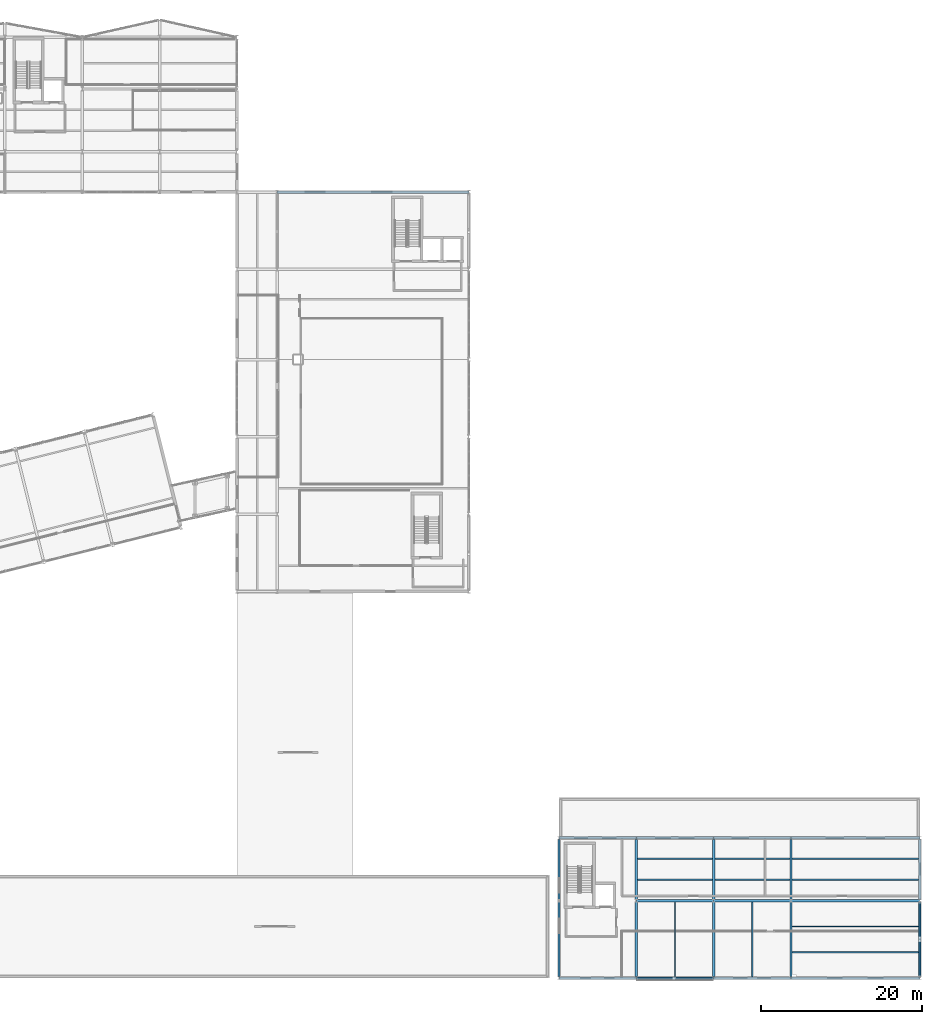
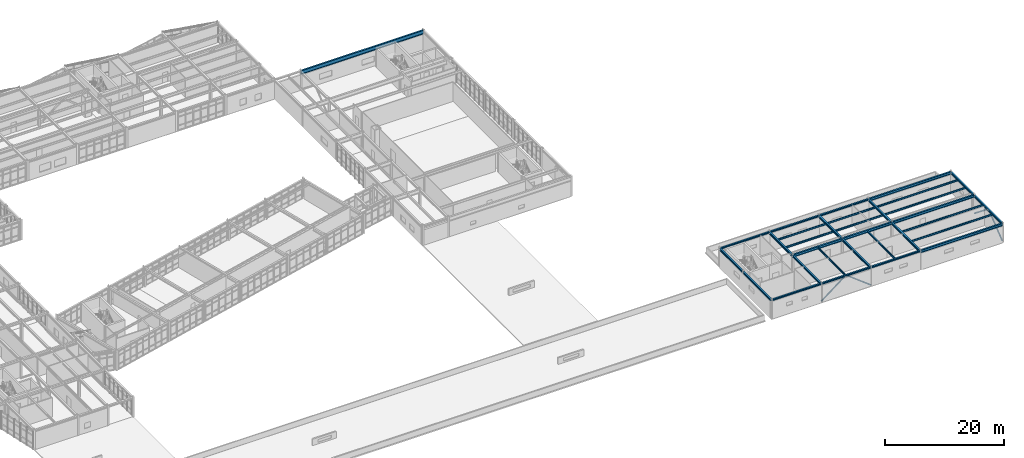
# One storey, part 46 of 88: 32 beams, 4 members.
"""IFC4 building model written with IfcOpenShell, lengths in metres."""

from ifc_helpers import new_model, si_unit, direction, frame, origin, origin_2d, place, context, subcontext, project, spatial, hollow_circle, i_section, extrude, material, material_profile, profile_set, type_object, element, save


model = new_model("IFC4")

# Units and contexts
model_context = context("Model", 3, precision=1e-05, world=origin(), true_north=direction((0.0, 1.0)))
body_context = subcontext(model_context, "Body", "Model", "MODEL_VIEW")
ifc_project = project(units=[si_unit("LENGTHUNIT", "METRE"), si_unit("AREAUNIT", "SQUARE_METRE"), si_unit("VOLUMEUNIT", "CUBIC_METRE"), si_unit("PLANEANGLEUNIT", "RADIAN"), si_unit("MASSUNIT", "GRAM", prefix="KILO")], contexts=[model_context])

# Site, building, storey
site_placement = place(None, origin())
site = spatial("IfcSite", under=ifc_project, at=site_placement, CompositionType="ELEMENT")
building_placement = place(site_placement, origin())
building = spatial("IfcBuilding", under=site, at=building_placement, Name="Nordkorset Police Headquarters", CompositionType="ELEMENT")
storey_placement = place(building_placement, frame((0.0, 0.0, 9.449951171875)))
storey = spatial("IfcBuildingStorey", under=building, at=storey_placement, Name="L02", CompositionType="ELEMENT", Elevation=9.449951171875)

# Beams
ifc_material_1 = material(Name="Steel S355J2", Category="steel")
ifc_material_profile_1 = material_profile(ifc_material_1, i_section(OverallWidth=0.169921875, OverallDepth=0.360107421875, WebThickness=0.008056640625, FlangeThickness=0.0126953125, FilletRadius=0.01806640625, at=origin_2d()), Name="IPE 360")
ifc_profile_set_1 = profile_set([ifc_material_profile_1], Name="Steel S355J2")
beam_type_1 = type_object("IfcBeamType", Name="Beam_IPE_360", PredefinedType="BEAM", material=ifc_profile_set_1)
for number, where, z_axis, x_axis, name in (
    (1, (140.800048828125, 0.14990234375, 3.78515625), (0.0, 1.0, 0.0), (-1.0, 0.0, 0.0), "Composite Floor Beam V6 L02 1-0-1"),
    (2, (136.14990234375, 12.199951171875, 3.7900390625), (1.0, 0.0, 0.0), (0.0, 1.0, 0.0), "Composite Floor Beam V6 L02 1-1-1"),
    (3, (136.14990234375, 14.800048828125, 3.7900390625), (1.0, 0.0, 0.0), (0.0, 1.0, 0.0), "Composite Floor Beam V6 L02 1-1-2"),
    (4, (150.39990234375, 0.14990234375, 3.78515625), (0.0, 1.0, 0.0), (-1.0, 0.0, 0.0), "Composite Floor Beam V6 L02 2-0-1"),
    (5, (145.75, 12.199951171875, 3.804931640625), (1.0, 0.0, 0.0), (0.0, 1.0, 0.0), "Composite Floor Beam V6 L02 2-1-1"),
    (6, (145.75, 14.800048828125, 3.804931640625), (1.0, 0.0, 0.0), (0.0, 1.0, 0.0), "Composite Floor Beam V6 L02 2-1-2"),
):
    element("IfcBeam", number, at=place(storey_placement, frame(where, z_axis=z_axis, x_axis=x_axis)), inside=storey, type_object=beam_type_1, Name=name, PredefinedType="BEAM", context=body_context, shape_type="SweptSolid", body=[
        extrude(i_section(OverallWidth=0.169921875, OverallDepth=0.360107421875, WebThickness=0.008056640625, FlangeThickness=0.0126953125, FilletRadius=0.01806640625, at=origin_2d()), origin(), (0.0, 0.0, 1.0), 9.300048828125),
    ])
for number, where, z_axis, x_axis, name in (
    (7, (155.35009765625, 3.199951171875, 3.78515625), (1.0, 0.0, 0.0), (0.0, 1.0, 0.0), "Composite Floor Beam V6 L02 3-0-1"),
    (8, (155.35009765625, 6.39990234375, 3.78515625), (1.0, 0.0, 0.0), (0.0, 1.0, 0.0), "Composite Floor Beam V6 L02 3-0-2"),
    (9, (155.35009765625, 12.199951171875, 3.804931640625), (1.0, 0.0, 0.0), (0.0, 1.0, 0.0), "Composite Floor Beam V6 L02 3-1-1"),
    (10, (155.35009765625, 14.800048828125, 3.804931640625), (1.0, 0.0, 0.0), (0.0, 1.0, 0.0), "Composite Floor Beam V6 L02 3-1-2"),
):
    element("IfcBeam", number, at=place(storey_placement, frame(where, z_axis=z_axis, x_axis=x_axis)), inside=storey, type_object=beam_type_1, Name=name, PredefinedType="BEAM", context=body_context, shape_type="SweptSolid", body=[
        extrude(i_section(OverallWidth=0.169921875, OverallDepth=0.360107421875, WebThickness=0.008056640625, FlangeThickness=0.0126953125, FilletRadius=0.01806640625, at=origin_2d()), origin(), (0.0, 0.0, 1.0), 15.699951171875),
    ])

# Members
ifc_material_2 = material(Name="Steel S355J2", Category="steel")
ifc_material_profile_2 = material_profile(ifc_material_2, hollow_circle(Radius=0.136474609375, WallThickness=0.012451171875, at=origin_2d()), Name="CHS 273x12.5")
ifc_profile_set_2 = profile_set([ifc_material_profile_2], Name="Steel S355J2")
member_type = type_object("IfcMemberType", Name="Brace_CHS_273x12.5", PredefinedType="BRACE", material=ifc_profile_set_2)
for number, where, z_axis, x_axis, name in (
    (11, (136.006103515625, 0.0, 0.199951171875), (0.792556948355, 0.0, 0.609797903912), (0.0, 1.0, 0.0), "Lateral Chevron Brace BF-EXT-V6S L02 D1"),
    (12, (145.593994140625, 0.0, 0.199951171875), (-0.792556948355, 0.0, 0.609797903912), (0.0, -1.0, 0.0), "Lateral Chevron Brace BF-EXT-V6S L02 D2"),
):
    element("IfcMember", number, at=place(storey_placement, frame(where, z_axis=z_axis, x_axis=x_axis)), inside=storey, type_object=member_type, Name=name, PredefinedType="BRACE", context=body_context, shape_type="SweptSolid", body=[
        extrude(hollow_circle(Radius=0.136474609375, WallThickness=0.012451171875, at=origin_2d()), origin(), (0.0, 0.0, 1.0), 5.82177734375),
    ])
for number, where, z_axis, x_axis, name in (
    (13, (171.199951171875, 0.169921875, 0.199951171875), (0.0, 0.78173415598, 0.623611825878), (-1.0, 0.0, 0.0), "Lateral Chevron Brace BF-EXT-V6E L02 D1"),
    (14, (171.199951171875, 9.429931640625, 0.199951171875), (0.0, -0.781717476957, 0.623632733441), (1.0, 0.0, 0.0), "Lateral Chevron Brace BF-EXT-V6E L02 D2"),
):
    element("IfcMember", number, at=place(storey_placement, frame(where, z_axis=z_axis, x_axis=x_axis)), inside=storey, type_object=member_type, Name=name, PredefinedType="BRACE", context=body_context, shape_type="SweptSolid", body=[
        extrude(hollow_circle(Radius=0.136474609375, WallThickness=0.012451171875, at=origin_2d()), origin(), (0.0, 0.0, 1.0), 5.692626953125),
    ])

# Beams
ifc_material_3 = material(Name="Steel S355J2", Category="steel")
ifc_material_profile_3 = material_profile(ifc_material_3, i_section(OverallWidth=0.300048828125, OverallDepth=0.43994140625, WebThickness=0.011474609375, FlangeThickness=0.02099609375, FilletRadius=0.027099609375, at=origin_2d()), Name="HEA 450")
ifc_profile_set_3 = profile_set([ifc_material_profile_3], Name="Steel S355J2")
beam_type_2 = type_object("IfcBeamType", Name="Girder_HEA_450", PredefinedType="USERDEFINED", material=ifc_profile_set_3)
beam_1_placement = place(storey_placement, frame((126.39990234375, 0.169921875, 3.75), z_axis=(0.0, 1.0, 0.0), x_axis=(-1.0, 0.0, 0.0)))
element("IfcBeam", 15, at=beam_1_placement, inside=storey, type_object=beam_type_2, Name="Girder V6 L02 GY-0-0", ObjectType="GIRDER", PredefinedType="USERDEFINED", context=body_context, shape_type="SweptSolid", body=[
    extrude(i_section(OverallWidth=0.300048828125, OverallDepth=0.43994140625, WebThickness=0.011474609375, FlangeThickness=0.02099609375, FilletRadius=0.027099609375, at=origin_2d()), origin(), (0.0, 0.0, 1.0), 9.260009765625),
])
beam_2_placement = place(storey_placement, frame((126.39990234375, 9.77001953125, 3.75), z_axis=(0.0, 1.0, 0.0), x_axis=(-1.0, 0.0, 0.0)))
element("IfcBeam", 16, at=beam_2_placement, inside=storey, type_object=beam_type_2, Name="Girder V6 L02 GY-0-1", ObjectType="GIRDER", PredefinedType="USERDEFINED", context=body_context, shape_type="SweptSolid", body=[
    extrude(i_section(OverallWidth=0.300048828125, OverallDepth=0.43994140625, WebThickness=0.011474609375, FlangeThickness=0.02099609375, FilletRadius=0.027099609375, at=origin_2d()), origin(), (0.0, 0.0, 1.0), 7.4599609375),
])
beam_3_placement = place(storey_placement, frame((136.0, 0.169921875, 3.75), z_axis=(0.0, 1.0, 0.0), x_axis=(-1.0, 0.0, 0.0)))
element("IfcBeam", 17, at=beam_3_placement, inside=storey, type_object=beam_type_2, Name="Girder V6 L02 GY-1-0", ObjectType="GIRDER", PredefinedType="USERDEFINED", context=body_context, shape_type="SweptSolid", body=[
    extrude(i_section(OverallWidth=0.300048828125, OverallDepth=0.43994140625, WebThickness=0.011474609375, FlangeThickness=0.02099609375, FilletRadius=0.027099609375, at=origin_2d()), origin(), (0.0, 0.0, 1.0), 9.260009765625),
])
beam_4_placement = place(storey_placement, frame((136.0, 9.77001953125, 3.75), z_axis=(0.0, 1.0, 0.0), x_axis=(-1.0, 0.0, 0.0)))
element("IfcBeam", 18, at=beam_4_placement, inside=storey, type_object=beam_type_2, Name="Girder V6 L02 GY-1-1", ObjectType="GIRDER", PredefinedType="USERDEFINED", context=body_context, shape_type="SweptSolid", body=[
    extrude(i_section(OverallWidth=0.300048828125, OverallDepth=0.43994140625, WebThickness=0.011474609375, FlangeThickness=0.02099609375, FilletRadius=0.027099609375, at=origin_2d()), origin(), (0.0, 0.0, 1.0), 7.4599609375),
])
beam_5_placement = place(storey_placement, frame((145.60009765625, 0.169921875, 3.7451171875), z_axis=(0.0, 1.0, 0.0), x_axis=(-1.0, 0.0, 0.0)))
element("IfcBeam", 19, at=beam_5_placement, inside=storey, type_object=beam_type_2, Name="Girder V6 L02 GY-2-0", ObjectType="GIRDER", PredefinedType="USERDEFINED", context=body_context, shape_type="SweptSolid", body=[
    extrude(i_section(OverallWidth=0.300048828125, OverallDepth=0.43994140625, WebThickness=0.011474609375, FlangeThickness=0.02099609375, FilletRadius=0.027099609375, at=origin_2d()), origin(), (0.0, 0.0, 1.0), 9.260009765625),
])
beam_6_placement = place(storey_placement, frame((145.60009765625, 9.77001953125, 3.76513671875), z_axis=(0.0, 1.0, 0.0), x_axis=(-1.0, 0.0, 0.0)))
element("IfcBeam", 20, at=beam_6_placement, inside=storey, type_object=beam_type_2, Name="Girder V6 L02 GY-2-1", ObjectType="GIRDER", PredefinedType="USERDEFINED", context=body_context, shape_type="SweptSolid", body=[
    extrude(i_section(OverallWidth=0.300048828125, OverallDepth=0.43994140625, WebThickness=0.011474609375, FlangeThickness=0.02099609375, FilletRadius=0.027099609375, at=origin_2d()), origin(), (0.0, 0.0, 1.0), 7.4599609375),
])
beam_7_placement = place(storey_placement, frame((155.199951171875, 0.169921875, 3.7451171875), z_axis=(0.0, 1.0, 0.0), x_axis=(-1.0, 0.0, 0.0)))
element("IfcBeam", 21, at=beam_7_placement, inside=storey, type_object=beam_type_2, Name="Girder V6 L02 GY-3-0", ObjectType="GIRDER", PredefinedType="USERDEFINED", context=body_context, shape_type="SweptSolid", body=[
    extrude(i_section(OverallWidth=0.300048828125, OverallDepth=0.43994140625, WebThickness=0.011474609375, FlangeThickness=0.02099609375, FilletRadius=0.027099609375, at=origin_2d()), origin(), (0.0, 0.0, 1.0), 9.260009765625),
])
beam_8_placement = place(storey_placement, frame((155.199951171875, 9.77001953125, 3.76513671875), z_axis=(0.0, 1.0, 0.0), x_axis=(-1.0, 0.0, 0.0)))
element("IfcBeam", 22, at=beam_8_placement, inside=storey, type_object=beam_type_2, Name="Girder V6 L02 GY-3-1", ObjectType="GIRDER", PredefinedType="USERDEFINED", context=body_context, shape_type="SweptSolid", body=[
    extrude(i_section(OverallWidth=0.300048828125, OverallDepth=0.43994140625, WebThickness=0.011474609375, FlangeThickness=0.02099609375, FilletRadius=0.027099609375, at=origin_2d()), origin(), (0.0, 0.0, 1.0), 7.4599609375),
])
beam_9_placement = place(storey_placement, frame((171.199951171875, 0.169921875, 3.7451171875), z_axis=(0.0, 1.0, 0.0), x_axis=(-1.0, 0.0, 0.0)))
element("IfcBeam", 23, at=beam_9_placement, inside=storey, type_object=beam_type_2, Name="Girder V6 L02 GY-4-0", ObjectType="GIRDER", PredefinedType="USERDEFINED", context=body_context, shape_type="SweptSolid", body=[
    extrude(i_section(OverallWidth=0.300048828125, OverallDepth=0.43994140625, WebThickness=0.011474609375, FlangeThickness=0.02099609375, FilletRadius=0.027099609375, at=origin_2d()), origin(), (0.0, 0.0, 1.0), 9.260009765625),
])
beam_10_placement = place(storey_placement, frame((171.199951171875, 9.77001953125, 3.76513671875), z_axis=(0.0, 1.0, 0.0), x_axis=(-1.0, 0.0, 0.0)))
element("IfcBeam", 24, at=beam_10_placement, inside=storey, type_object=beam_type_2, Name="Girder V6 L02 GY-4-1", ObjectType="GIRDER", PredefinedType="USERDEFINED", context=body_context, shape_type="SweptSolid", body=[
    extrude(i_section(OverallWidth=0.300048828125, OverallDepth=0.43994140625, WebThickness=0.011474609375, FlangeThickness=0.02099609375, FilletRadius=0.027099609375, at=origin_2d()), origin(), (0.0, 0.0, 1.0), 7.4599609375),
])
ifc_material_4 = material(Name="Steel S355J2", Category="steel")
ifc_material_profile_4 = material_profile(ifc_material_4, i_section(OverallWidth=0.300048828125, OverallDepth=0.5400390625, WebThickness=0.012451171875, FlangeThickness=0.02392578125, FilletRadius=0.027099609375, at=origin_2d()), Name="HEA 550")
ifc_profile_set_4 = profile_set([ifc_material_profile_4], Name="Steel S355J2")
beam_type_3 = type_object("IfcBeamType", Name="Girder_HEA_550", PredefinedType="USERDEFINED", material=ifc_profile_set_4)
beam_11_placement = place(storey_placement, frame((155.2060546875, 0.0, 3.695068359375), z_axis=(1.0, 0.0, 0.0), x_axis=(0.0, 1.0, 0.0)))
element("IfcBeam", 25, at=beam_11_placement, inside=storey, type_object=beam_type_3, Name="Girder V6 L02 GX-0-3", ObjectType="GIRDER", PredefinedType="USERDEFINED", context=body_context, shape_type="SweptSolid", body=[
    extrude(i_section(OverallWidth=0.300048828125, OverallDepth=0.5400390625, WebThickness=0.012451171875, FlangeThickness=0.02392578125, FilletRadius=0.027099609375, at=origin_2d()), origin(), (0.0, 0.0, 1.0), 15.988037109375),
])
beam_12_placement = place(storey_placement, frame((136.006103515625, 9.60009765625, 3.699951171875), z_axis=(1.0, 0.0, 0.0), x_axis=(0.0, 1.0, 0.0)))
element("IfcBeam", 26, at=beam_12_placement, inside=storey, type_object=beam_type_3, Name="Girder V6 L02 GX-1-1", ObjectType="GIRDER", PredefinedType="USERDEFINED", context=body_context, shape_type="SweptSolid", body=[
    extrude(i_section(OverallWidth=0.300048828125, OverallDepth=0.5400390625, WebThickness=0.012451171875, FlangeThickness=0.02392578125, FilletRadius=0.027099609375, at=origin_2d()), origin(), (0.0, 0.0, 1.0), 9.587890625),
])
beam_13_placement = place(storey_placement, frame((145.60595703125, 9.60009765625, 3.715087890625), z_axis=(1.0, 0.0, 0.0), x_axis=(0.0, 1.0, 0.0)))
element("IfcBeam", 27, at=beam_13_placement, inside=storey, type_object=beam_type_3, Name="Girder V6 L02 GX-1-2", ObjectType="GIRDER", PredefinedType="USERDEFINED", context=body_context, shape_type="SweptSolid", body=[
    extrude(i_section(OverallWidth=0.300048828125, OverallDepth=0.5400390625, WebThickness=0.012451171875, FlangeThickness=0.02392578125, FilletRadius=0.027099609375, at=origin_2d()), origin(), (0.0, 0.0, 1.0), 9.588134765625),
])
for number, where, z_axis, x_axis, name in (
    (28, (155.2060546875, 9.60009765625, 3.715087890625), (1.0, 0.0, 0.0), (0.0, 1.0, 0.0), "Girder V6 L02 GX-1-3"),
    (29, (155.2060546875, 17.39990234375, 3.715087890625), (1.0, 0.0, 0.0), (0.0, 1.0, 0.0), "Girder V6 L02 GX-2-3"),
):
    element("IfcBeam", number, at=place(storey_placement, frame(where, z_axis=z_axis, x_axis=x_axis)), inside=storey, type_object=beam_type_3, Name=name, ObjectType="GIRDER", PredefinedType="USERDEFINED", context=body_context, shape_type="SweptSolid", body=[
        extrude(i_section(OverallWidth=0.300048828125, OverallDepth=0.5400390625, WebThickness=0.012451171875, FlangeThickness=0.02392578125, FilletRadius=0.027099609375, at=origin_2d()), origin(), (0.0, 0.0, 1.0), 15.988037109375),
    ])
ifc_material_5 = material(Name="Steel S355J2", Category="steel")
ifc_material_profile_5 = material_profile(ifc_material_5, i_section(OverallWidth=0.300048828125, OverallDepth=0.800048828125, WebThickness=0.017578125, FlangeThickness=0.032958984375, FilletRadius=0.030029296875, at=origin_2d()), Name="HEB 800")
ifc_profile_set_5 = profile_set([ifc_material_profile_5], Name="Steel S355J2")
beam_type_4 = type_object("IfcBeamType", Name="Girder_HEB_800", PredefinedType="USERDEFINED", material=ifc_profile_set_5)
beam_14_placement = place(storey_placement, frame((91.40673828125, 97.60009765625, 3.56494140625), z_axis=(1.0, 0.0, 0.0), x_axis=(0.0, 1.0, 0.0)))
element("IfcBeam", 30, at=beam_14_placement, inside=storey, type_object=beam_type_4, Name="Girder V5 L02 GX-5-1", ObjectType="GIRDER", PredefinedType="USERDEFINED", context=body_context, shape_type="SweptSolid", body=[
    extrude(i_section(OverallWidth=0.300048828125, OverallDepth=0.800048828125, WebThickness=0.017578125, FlangeThickness=0.032958984375, FilletRadius=0.030029296875, at=origin_2d()), origin(), (0.0, 0.0, 1.0), 23.78662109375),
])
ifc_material_6 = material(Name="Steel S355J2", Category="steel")
ifc_material_profile_6 = material_profile(ifc_material_6, i_section(OverallWidth=0.300048828125, OverallDepth=0.31005859375, WebThickness=0.009033203125, FlangeThickness=0.015380859375, FilletRadius=0.027099609375, at=origin_2d()), Name="HEA 320")
ifc_profile_set_6 = profile_set([ifc_material_profile_6], Name="Steel S355J2")
beam_type_5 = type_object("IfcBeamType", Name="Spandrel_HEA_320", PredefinedType="SPANDREL", material=ifc_profile_set_6)
for number, where, z_axis, x_axis, name in (
    (31, (126.406005859375, 0.0, 3.81494140625), (1.0, 0.0, 0.0), (0.0, 1.0, 0.0), "Girder V6 L02 GX-0-0"),
    (32, (136.006103515625, 0.0, 3.81005859375), (1.0, 0.0, 0.0), (0.0, 1.0, 0.0), "Girder V6 L02 GX-0-1"),
):
    element("IfcBeam", number, at=place(storey_placement, frame(where, z_axis=z_axis, x_axis=x_axis)), inside=storey, type_object=beam_type_5, Name=name, PredefinedType="SPANDREL", context=body_context, shape_type="SweptSolid", body=[
        extrude(i_section(OverallWidth=0.300048828125, OverallDepth=0.31005859375, WebThickness=0.009033203125, FlangeThickness=0.015380859375, FilletRadius=0.027099609375, at=origin_2d()), origin(), (0.0, 0.0, 1.0), 9.587890625),
    ])
beam_15_placement = place(storey_placement, frame((145.60595703125, 0.0, 3.81005859375), z_axis=(1.0, 0.0, 0.0), x_axis=(0.0, 1.0, 0.0)))
element("IfcBeam", 33, at=beam_15_placement, inside=storey, type_object=beam_type_5, Name="Girder V6 L02 GX-0-2", PredefinedType="SPANDREL", context=body_context, shape_type="SweptSolid", body=[
    extrude(i_section(OverallWidth=0.300048828125, OverallDepth=0.31005859375, WebThickness=0.009033203125, FlangeThickness=0.015380859375, FilletRadius=0.027099609375, at=origin_2d()), origin(), (0.0, 0.0, 1.0), 9.588134765625),
])
for number, where, z_axis, x_axis, name in (
    (34, (126.406005859375, 17.39990234375, 3.81494140625), (1.0, 0.0, 0.0), (0.0, 1.0, 0.0), "Girder V6 L02 GX-2-0"),
    (35, (136.006103515625, 17.39990234375, 3.81494140625), (1.0, 0.0, 0.0), (0.0, 1.0, 0.0), "Girder V6 L02 GX-2-1"),
):
    element("IfcBeam", number, at=place(storey_placement, frame(where, z_axis=z_axis, x_axis=x_axis)), inside=storey, type_object=beam_type_5, Name=name, PredefinedType="SPANDREL", context=body_context, shape_type="SweptSolid", body=[
        extrude(i_section(OverallWidth=0.300048828125, OverallDepth=0.31005859375, WebThickness=0.009033203125, FlangeThickness=0.015380859375, FilletRadius=0.027099609375, at=origin_2d()), origin(), (0.0, 0.0, 1.0), 9.587890625),
    ])
beam_16_placement = place(storey_placement, frame((145.60595703125, 17.39990234375, 3.830078125), z_axis=(1.0, 0.0, 0.0), x_axis=(0.0, 1.0, 0.0)))
element("IfcBeam", 36, at=beam_16_placement, inside=storey, type_object=beam_type_5, Name="Girder V6 L02 GX-2-2", PredefinedType="SPANDREL", context=body_context, shape_type="SweptSolid", body=[
    extrude(i_section(OverallWidth=0.300048828125, OverallDepth=0.31005859375, WebThickness=0.009033203125, FlangeThickness=0.015380859375, FilletRadius=0.027099609375, at=origin_2d()), origin(), (0.0, 0.0, 1.0), 9.588134765625),
])

save(model, "model.ifc")
